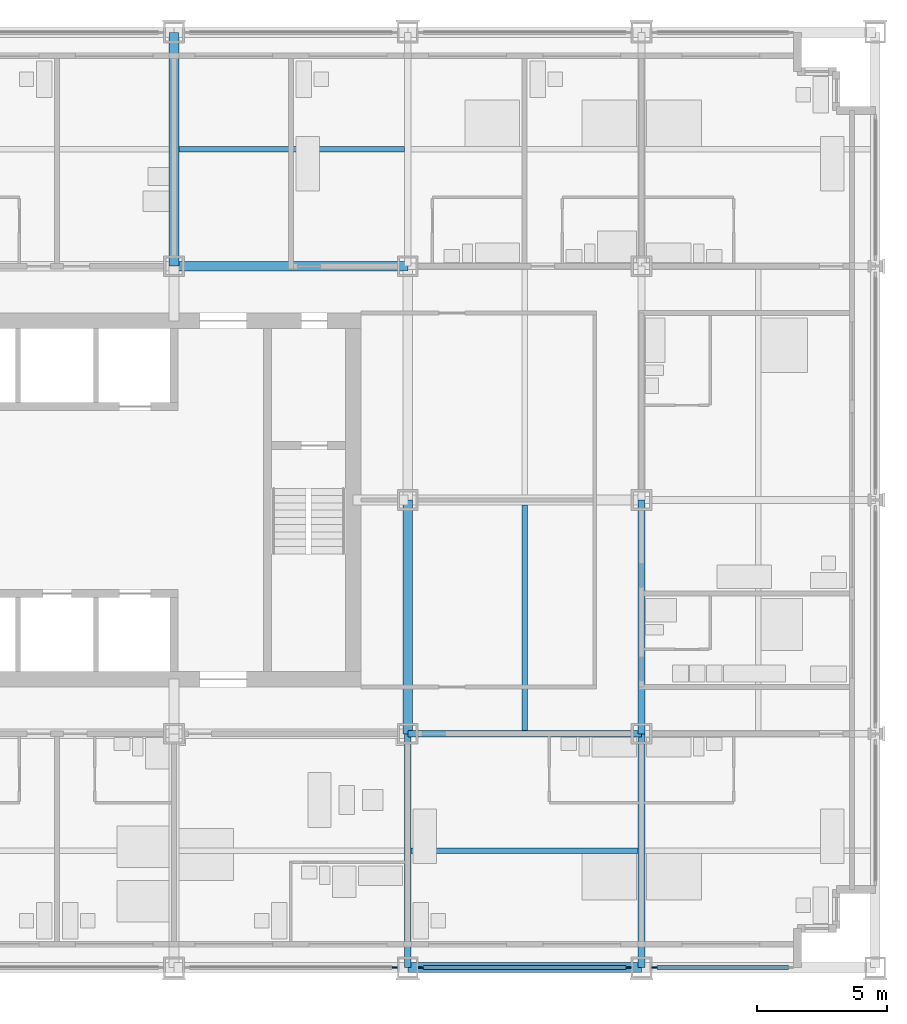
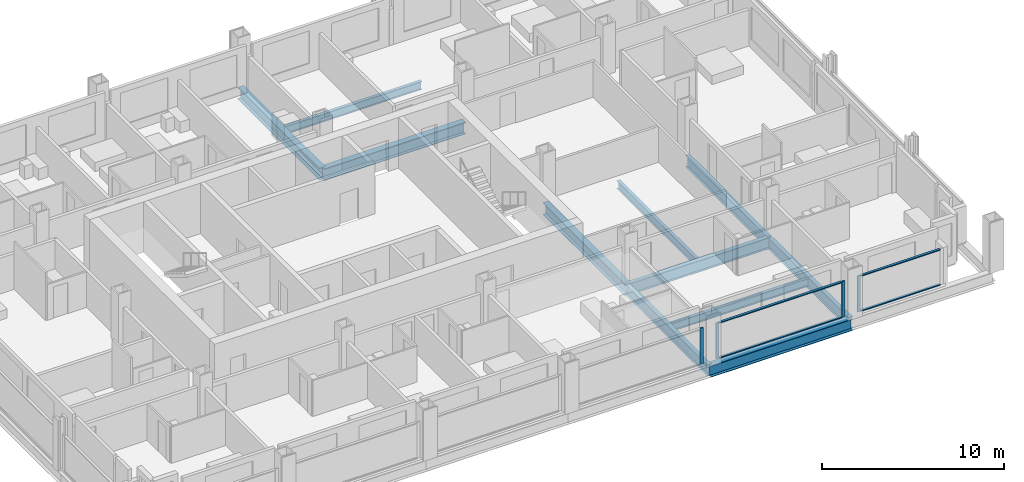
# One storey, part 5 of 18: 11 beams, 8 members, 3 elements without a shape of their own.
"""IFC4 building model written with IfcOpenShell, lengths in metres."""

from ifc_helpers import new_model, si_unit, direction, frame, origin, origin_2d, place, context, subcontext, project, spatial, rectangle, i_section, extrude, material, material_profile, profile_set, type_object, element, aggregate, save


model = new_model("IFC4")

# Units and contexts
model_context = context("Model", 3, precision=1e-05, world=origin(), true_north=direction((0.0, 1.0)))
body_context = subcontext(model_context, "Body", "Model", "MODEL_VIEW")
ifc_project = project(units=[si_unit("LENGTHUNIT", "METRE"), si_unit("AREAUNIT", "SQUARE_METRE"), si_unit("VOLUMEUNIT", "CUBIC_METRE"), si_unit("PLANEANGLEUNIT", "RADIAN"), si_unit("MASSUNIT", "GRAM", prefix="KILO")], contexts=[model_context])

# Site, building, storey
site_placement = place(None, origin())
site = spatial("IfcSite", under=ifc_project, at=site_placement, CompositionType="ELEMENT")
building_placement = place(site_placement, origin())
building = spatial("IfcBuilding", under=site, at=building_placement, Name="Loomwork Tower", CompositionType="ELEMENT")
storey_placement = place(building_placement, frame((0.0, 0.0, 65.39990234375)))
storey = spatial("IfcBuildingStorey", under=building, at=storey_placement, Name="L16", CompositionType="ELEMENT", Elevation=65.39990234375)

# Beams
ifc_material_1 = material(Name="Steel ASTM A992", Category="steel")
ifc_material_profile_1 = material_profile(ifc_material_1, i_section(OverallWidth=0.383544921875, OverallDepth=0.794921875, WebThickness=0.02099609375, FlangeThickness=0.0380859375, at=origin_2d()), Name="W30x235")
ifc_profile_set_1 = profile_set([ifc_material_profile_1], Name="Steel ASTM A992")
beam_type_1 = type_object("IfcBeamType", Name="CORE FLANK GIRDER W30x235", PredefinedType="BEAM", material=ifc_profile_set_1)
for number, where, z_axis, x_axis, name in (
    (1, (27.0, 27.0, -0.597412109375), (1.0, 0.0, 0.0), (0.0, 1.0, 0.0), "Core Flank Girder G/5-G/6 L16"),
    (2, (27.0, 27.0, -0.597412109375), (0.0, 1.0, 0.0), (-1.0, 0.0, 0.0), "Core Flank Girder G/5-H/5 L16"),
    (3, (36.0, 9.0, -0.597412109375), (0.0, 1.0, 0.0), (-1.0, 0.0, 0.0), "Core Flank Girder E/6-F/6 L16"),
):
    element("IfcBeam", number, at=place(storey_placement, frame(where, z_axis=z_axis, x_axis=x_axis)), inside=storey, type_object=beam_type_1, Name=name, PredefinedType="BEAM", context=body_context, shape_type="SweptSolid", body=[
        extrude(i_section(OverallWidth=0.383544921875, OverallDepth=0.794921875, WebThickness=0.02099609375, FlangeThickness=0.0380859375, at=origin_2d()), origin(), (0.0, 0.0, 1.0), 9.0),
    ])
ifc_material_2 = material(Name="Steel ASTM A992", Category="steel")
ifc_material_profile_2 = material_profile(ifc_material_2, i_section(OverallWidth=0.2666015625, OverallDepth=0.761962890625, WebThickness=0.014404296875, FlangeThickness=0.021484375, at=origin_2d()), Name="W30x116")
ifc_profile_set_2 = profile_set([ifc_material_profile_2], Name="Steel ASTM A992")
beam_type_2 = type_object("IfcBeamType", Name="FLOOR GIRDER W30x116", PredefinedType="BEAM", material=ifc_profile_set_2)
for number, where, z_axis, x_axis, name in (
    (4, (36.0, 9.0, -0.580810546875), (1.0, 0.0, 0.0), (0.0, 1.0, 0.0), "Floor Girder E/6-E/7 L16"),
    (5, (36.0, 0.0, -0.580810546875), (0.0, 1.0, 0.0), (-1.0, 0.0, 0.0), "Floor Girder D/6-E/6 L16"),
    (6, (45.0, 0.0, -0.580810546875), (0.0, 1.0, 0.0), (-1.0, 0.0, 0.0), "Floor Girder D/7-E/7 L16"),
    (7, (45.0, 9.0, -0.580810546875), (0.0, 1.0, 0.0), (-1.0, 0.0, 0.0), "Floor Girder E/7-F/7 L16"),
):
    element("IfcBeam", number, at=place(storey_placement, frame(where, z_axis=z_axis, x_axis=x_axis)), inside=storey, type_object=beam_type_2, Name=name, PredefinedType="BEAM", context=body_context, shape_type="SweptSolid", body=[
        extrude(i_section(OverallWidth=0.2666015625, OverallDepth=0.761962890625, WebThickness=0.014404296875, FlangeThickness=0.021484375, at=origin_2d()), origin(), (0.0, 0.0, 1.0), 9.0),
    ])
ifc_material_3 = material(Name="Steel ASTM A992", Category="steel")
ifc_material_profile_3 = material_profile(ifc_material_3, i_section(OverallWidth=0.2109375, OverallDepth=0.53857421875, WebThickness=0.011474609375, FlangeThickness=0.018798828125, at=origin_2d()), Name="W21x73")
ifc_profile_set_3 = profile_set([ifc_material_profile_3], Name="Steel ASTM A992")
beam_type_3 = type_object("IfcBeamType", Name="FLOOR JOIST W21x73", PredefinedType="JOIST", material=ifc_profile_set_3)
beam_1_placement = place(storey_placement, frame((27.19091796875, 31.5, -0.46923828125), z_axis=(1.0, 0.0, 0.0), x_axis=(0.0, 1.0, 0.0)))
element("IfcBeam", 8, at=beam_1_placement, inside=storey, type_object=beam_type_3, Name="Floor Joist 27.000,31.500-36.000,31.500 L16", PredefinedType="JOIST", context=body_context, shape_type="SweptSolid", body=[
    extrude(i_section(OverallWidth=0.2109375, OverallDepth=0.53857421875, WebThickness=0.011474609375, FlangeThickness=0.018798828125, at=origin_2d()), origin(), (0.0, 0.0, 1.0), 8.676025390625),
])
beam_2_placement = place(storey_placement, frame((36.133056640625, 4.5, -0.46923828125), z_axis=(1.0, 0.0, 0.0), x_axis=(0.0, 1.0, 0.0)))
element("IfcBeam", 9, at=beam_2_placement, inside=storey, type_object=beam_type_3, Name="Floor Joist 36.000,4.500-45.000,4.500 L16", PredefinedType="JOIST", context=body_context, shape_type="SweptSolid", body=[
    extrude(i_section(OverallWidth=0.2109375, OverallDepth=0.53857421875, WebThickness=0.011474609375, FlangeThickness=0.018798828125, at=origin_2d()), origin(), (0.0, 0.0, 1.0), 8.73388671875),
])
beam_3_placement = place(storey_placement, frame((40.5, 9.133056640625, -0.46923828125), z_axis=(0.0, 1.0, 0.0), x_axis=(-1.0, 0.0, 0.0)))
element("IfcBeam", 10, at=beam_3_placement, inside=storey, type_object=beam_type_3, Name="Floor Joist 40.500,9.000-40.500,18.000 L16", PredefinedType="JOIST", context=body_context, shape_type="SweptSolid", body=[
    extrude(i_section(OverallWidth=0.2109375, OverallDepth=0.53857421875, WebThickness=0.011474609375, FlangeThickness=0.018798828125, at=origin_2d()), origin(), (0.0, 0.0, 1.0), 8.676025390625),
])

# Curtain wall, member
ifc_material_4 = material(Name="Aluminium curtain wall frame", Category="aluminium")
curtain_wall_type = type_object("IfcCurtainWallType", Name="Outer skin glazing hotel", PredefinedType="NOTDEFINED", material=ifc_material_4)
curtain_wall_1_placement = place(storey_placement, origin())
curtain_wall_1 = element("IfcCurtainWall", 11, at=curtain_wall_1_placement, inside=storey, type_object=curtain_wall_type, Name="Outer skin glazing hotel cw/S-27", PredefinedType="NOTDEFINED")
ifc_material_5 = material(Name="Aluminium curtain wall frame", Category="aluminium")
ifc_material_profile_4 = material_profile(ifc_material_5, rectangle(XDim=0.06494140625, YDim=0.199951171875, at=origin_2d()), Name="AL 65x200")
ifc_profile_set_4 = profile_set([ifc_material_profile_4], Name="Aluminium curtain wall frame")
member_type_1 = type_object("IfcMemberType", Name="Outer skin glazing hotel mullion", PredefinedType="MULLION", material=ifc_profile_set_4)
member_1_placement = place(storey_placement, frame((35.5, 0.0, 0.0), z_axis=(0.0, 0.0, 1.0), x_axis=(0.0, 1.0, 0.0)))
member_1 = element("IfcMember", 12, at=member_1_placement, type_object=member_type_1, Name="CW1 mullion 2", PredefinedType="MULLION", context=body_context, shape_type="SweptSolid", body=[
    extrude(rectangle(XDim=0.06494140625, YDim=0.199951171875, at=origin_2d()), origin(), (0.0, 0.0, 1.0), 2.42041015625),
])
aggregate(curtain_wall_1, [member_1])

# Curtain wall, members
curtain_wall_2_placement = place(storey_placement, origin())
curtain_wall_2 = element("IfcCurtainWall", 13, at=curtain_wall_2_placement, inside=storey, type_object=curtain_wall_type, Name="Outer skin glazing hotel cw/S-36", PredefinedType="NOTDEFINED")
member_2_placement = place(storey_placement, frame((36.5, 0.0, 0.0), z_axis=(0.0, 0.0, 1.0), x_axis=(0.0, 1.0, 0.0)))
member_2 = element("IfcMember", 14, at=member_2_placement, type_object=member_type_1, Name="CW1 mullion 1", PredefinedType="MULLION", context=body_context, shape_type="SweptSolid", body=[
    extrude(rectangle(XDim=0.06494140625, YDim=0.199951171875, at=origin_2d()), origin(), (0.0, 0.0, 1.0), 2.42041015625),
])
member_3_placement = place(storey_placement, frame((44.5, 0.0, 0.0), z_axis=(0.0, 0.0, 1.0), x_axis=(0.0, 1.0, 0.0)))
member_3 = element("IfcMember", 15, at=member_3_placement, type_object=member_type_1, Name="CW1 mullion 2", PredefinedType="MULLION", context=body_context, shape_type="SweptSolid", body=[
    extrude(rectangle(XDim=0.06494140625, YDim=0.199951171875, at=origin_2d()), origin(), (0.0, 0.0, 1.0), 2.42041015625),
])

# Curtain wall, member
curtain_wall_3_placement = place(storey_placement, origin())
curtain_wall_3 = element("IfcCurtainWall", 16, at=curtain_wall_3_placement, inside=storey, type_object=curtain_wall_type, Name="Outer skin glazing hotel cw/S-45", PredefinedType="NOTDEFINED")
member_4_placement = place(storey_placement, frame((45.5, 0.0, 0.0), z_axis=(0.0, 0.0, 1.0), x_axis=(0.0, 1.0, 0.0)))
member_4 = element("IfcMember", 17, at=member_4_placement, type_object=member_type_1, Name="CW1 mullion 1", PredefinedType="MULLION", context=body_context, shape_type="SweptSolid", body=[
    extrude(rectangle(XDim=0.06494140625, YDim=0.199951171875, at=origin_2d()), origin(), (0.0, 0.0, 1.0), 2.42041015625),
])

# Member
ifc_material_6 = material(Name="Aluminium curtain wall frame", Category="aluminium")
ifc_material_profile_5 = material_profile(ifc_material_6, rectangle(XDim=0.14990234375, YDim=0.06494140625, at=origin_2d()), Name="AL 65x150")
ifc_profile_set_5 = profile_set([ifc_material_profile_5], Name="Aluminium curtain wall frame")
member_type_2 = type_object("IfcMemberType", Name="Outer skin glazing hotel transom", PredefinedType="USERDEFINED", material=ifc_profile_set_5)
member_5_placement = place(storey_placement, frame((36.60009765625, 0.0, 0.03271484375), z_axis=(1.0, 0.0, 0.0), x_axis=(0.0, 1.0, 0.0)))
member_5 = element("IfcMember", 18, at=member_5_placement, type_object=member_type_2, Name="CW1 transom 1.1", ObjectType="TRANSOM", PredefinedType="USERDEFINED", context=body_context, shape_type="SweptSolid", body=[
    extrude(rectangle(XDim=0.14990234375, YDim=0.06494140625, at=origin_2d()), origin(), (0.0, 0.0, 1.0), 7.7998046875),
])

member_6_placement = place(storey_placement, frame((36.60009765625, 0.0, 2.3876953125), z_axis=(1.0, 0.0, 0.0), x_axis=(0.0, 1.0, 0.0)))
member_6 = element("IfcMember", 19, at=member_6_placement, type_object=member_type_2, Name="CW1 transom 1.2", ObjectType="TRANSOM", PredefinedType="USERDEFINED", context=body_context, shape_type="SweptSolid", body=[
    extrude(rectangle(XDim=0.14990234375, YDim=0.06494140625, at=origin_2d()), origin(), (0.0, 0.0, 1.0), 7.7998046875),
])

aggregate(curtain_wall_2, [member_2, member_3, member_5, member_6])

member_7_placement = place(storey_placement, frame((45.60009765625, 0.0, 0.03271484375), z_axis=(1.0, 0.0, 0.0), x_axis=(0.0, 1.0, 0.0)))
member_7 = element("IfcMember", 20, at=member_7_placement, type_object=member_type_2, Name="CW1 transom 1.1", ObjectType="TRANSOM", PredefinedType="USERDEFINED", context=body_context, shape_type="SweptSolid", body=[
    extrude(rectangle(XDim=0.14990234375, YDim=0.06494140625, at=origin_2d()), origin(), (0.0, 0.0, 1.0), 5.0498046875),
])

member_8_placement = place(storey_placement, frame((45.60009765625, 0.0, 2.3876953125), z_axis=(1.0, 0.0, 0.0), x_axis=(0.0, 1.0, 0.0)))
member_8 = element("IfcMember", 21, at=member_8_placement, type_object=member_type_2, Name="CW1 transom 1.2", ObjectType="TRANSOM", PredefinedType="USERDEFINED", context=body_context, shape_type="SweptSolid", body=[
    extrude(rectangle(XDim=0.14990234375, YDim=0.06494140625, at=origin_2d()), origin(), (0.0, 0.0, 1.0), 5.0498046875),
])

aggregate(curtain_wall_3, [member_4, member_7, member_8])

# Beam
ifc_material_7 = material(Name="Steel ASTM A992", Category="steel")
ifc_material_profile_6 = material_profile(ifc_material_7, i_section(OverallWidth=0.381103515625, OverallDepth=0.77978515625, WebThickness=0.01806640625, FlangeThickness=0.0302734375, at=origin_2d()), Name="W30x191")
ifc_profile_set_6 = profile_set([ifc_material_profile_6], Name="Steel ASTM A992")
beam_type_4 = type_object("IfcBeamType", Name="SPANDREL GIRDER W30x191", PredefinedType="SPANDREL", material=ifc_profile_set_6)
beam_4_placement = place(storey_placement, frame((36.0, 0.0, -0.58984375), z_axis=(1.0, 0.0, 0.0), x_axis=(0.0, 1.0, 0.0)))
element("IfcBeam", 22, at=beam_4_placement, inside=storey, type_object=beam_type_4, Name="Spandrel Girder D/6-D/7 L16", PredefinedType="SPANDREL", context=body_context, shape_type="SweptSolid", body=[
    extrude(i_section(OverallWidth=0.381103515625, OverallDepth=0.77978515625, WebThickness=0.01806640625, FlangeThickness=0.0302734375, at=origin_2d()), origin(), (0.0, 0.0, 1.0), 9.0),
])

save(model, "model.ifc")
